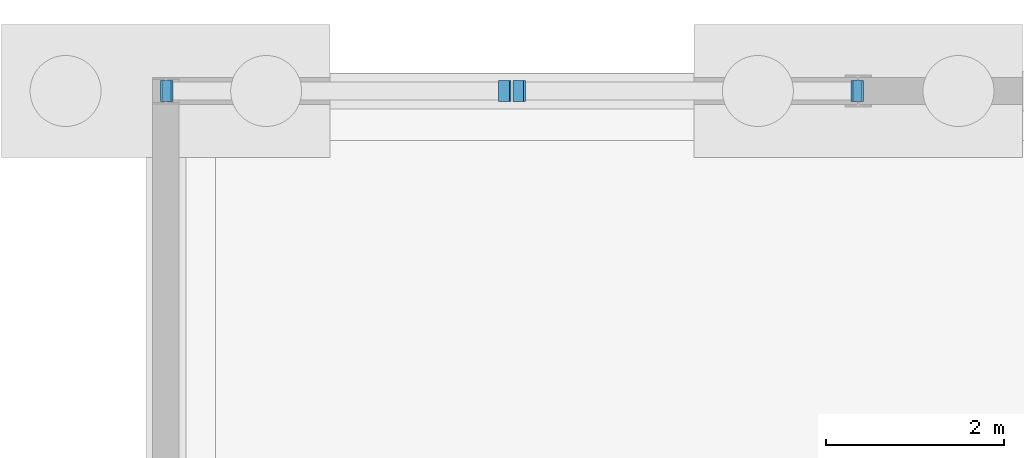
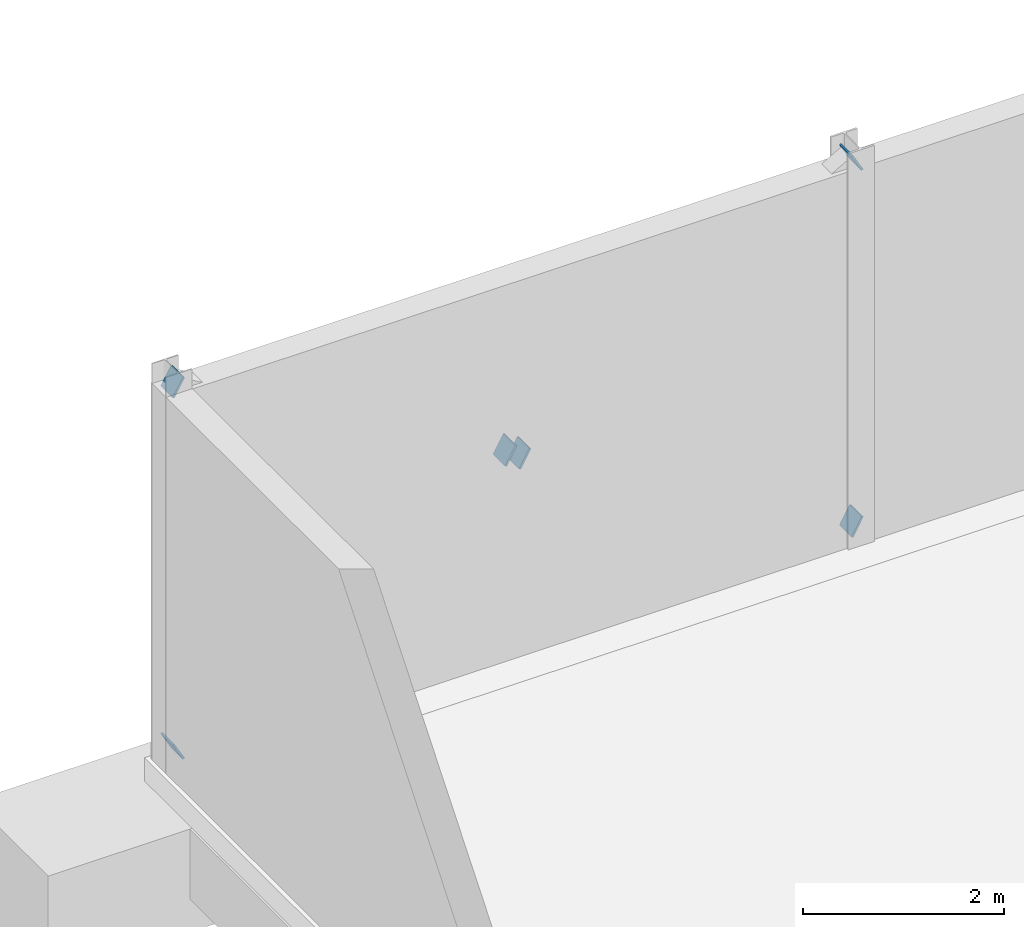
# One storey, part 62 of 91: 6 plates.
"""IFC4 building model written with IfcOpenShell, lengths in metres."""

from ifc_helpers import new_model, si_unit, direction, frame, origin, origin_2d, place, context, subcontext, project, spatial, rectangle, extrude, material, material_profile, profile_set, type_object, element, save


model = new_model("IFC4")

# Units and contexts
model_context = context("Model", 3, precision=1e-05, world=origin(), true_north=direction((0.0, 1.0)))
body_context = subcontext(model_context, "Body", "Model", "MODEL_VIEW")
ifc_project = project(units=[si_unit("LENGTHUNIT", "METRE"), si_unit("AREAUNIT", "SQUARE_METRE"), si_unit("VOLUMEUNIT", "CUBIC_METRE"), si_unit("PLANEANGLEUNIT", "RADIAN"), si_unit("MASSUNIT", "GRAM", prefix="KILO")], contexts=[model_context])

# Site, building, storey
site_placement = place(None, origin())
site = spatial("IfcSite", under=ifc_project, at=site_placement, CompositionType="ELEMENT")
building_placement = place(site_placement, origin())
building = spatial("IfcBuilding", under=site, at=building_placement, Name="Vinh Khe Railworks Police Headquarters", CompositionType="ELEMENT")
storey_placement = place(building_placement, origin())
storey = spatial("IfcBuildingStorey", under=building, at=storey_placement, Name="L00", CompositionType="ELEMENT", Elevation=0.0)

# Plates
ifc_material = material(Name="Steel S355JR", Category="steel")
ifc_material_profile = material_profile(ifc_material, rectangle(XDim=0.239990234375, YDim=0.239990234375, at=origin_2d()), Name="PL 240x240")
ifc_profile_set = profile_set([ifc_material_profile], Name="Steel S355JR")
plate_type = type_object("IfcPlateType", Name="Steel End-Cap Plate 240x240x24", PredefinedType="SHEET", material=ifc_profile_set)
for number, where, z_axis, x_axis, name in (
    (1, (26.419921875, 166.39990234375, 0.199951171875), (-0.87075356708, 0.0, -0.49171966141), (0.0, -1.0, 0.0), "End-Cap Gusset Plate PLT-EP-0278"),
    (2, (26.419921875, 166.39990234375, 4.60009765625), (-0.87075356708, 0.0, 0.49171966141), (0.0, -1.0, 0.0), "End-Cap Gusset Plate PLT-EP-0279"),
):
    element("IfcPlate", number, at=place(storey_placement, frame(where, z_axis=z_axis, x_axis=x_axis)), inside=storey, type_object=plate_type, Name=name, PredefinedType="SHEET", context=body_context, shape_type="SweptSolid", body=[
        extrude(rectangle(XDim=0.239990234375, YDim=0.239990234375, at=origin_2d()), origin(), (0.0, 0.0, 1.0), 0.02392578125),
    ])
plate_placement = place(storey_placement, frame((30.20947265625, 166.39990234375, 2.451416015625), z_axis=(0.868864187911, 0.0, -0.49505052567), x_axis=(0.0, 1.0, 0.0)))
element("IfcPlate", 3, at=plate_placement, inside=storey, type_object=plate_type, Name="End-Cap Gusset Plate PLT-EP-0288", PredefinedType="SHEET", context=body_context, shape_type="SweptSolid", body=[
    extrude(rectangle(XDim=0.239990234375, YDim=0.239990234375, at=origin_2d()), origin(), (0.0, 0.0, 1.0), 0.024169921875),
])
for number, where, z_axis, x_axis, name in (
    (4, (30.390380859375, 166.39990234375, 2.3486328125), (-0.866355221147, 0.0, 0.499428303955), (0.0, -1.0, 0.0), "End-Cap Gusset Plate PLT-EP-0289"),
    (5, (34.179931640625, 166.39990234375, 0.199951171875), (0.873197702015, 0.0, -0.487366159264), (0.0, 1.0, 0.0), "End-Cap Gusset Plate PLT-EP-0304"),
    (6, (34.179931640625, 166.39990234375, 4.60009765625), (0.873197702015, 0.0, 0.487366159264), (0.0, 1.0, 0.0), "End-Cap Gusset Plate PLT-EP-0305"),
):
    element("IfcPlate", number, at=place(storey_placement, frame(where, z_axis=z_axis, x_axis=x_axis)), inside=storey, type_object=plate_type, Name=name, PredefinedType="SHEET", context=body_context, shape_type="SweptSolid", body=[
        extrude(rectangle(XDim=0.239990234375, YDim=0.239990234375, at=origin_2d()), origin(), (0.0, 0.0, 1.0), 0.02392578125),
    ])

save(model, "model.ifc")
